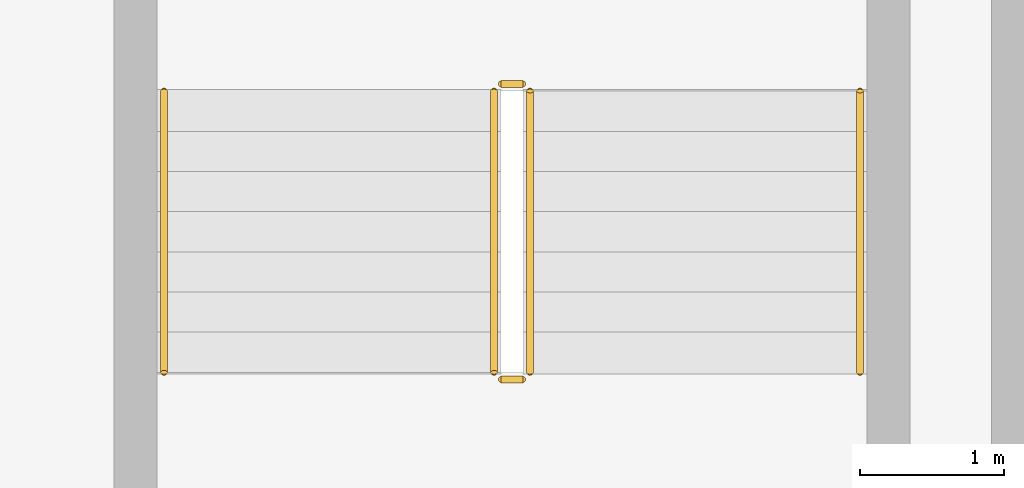
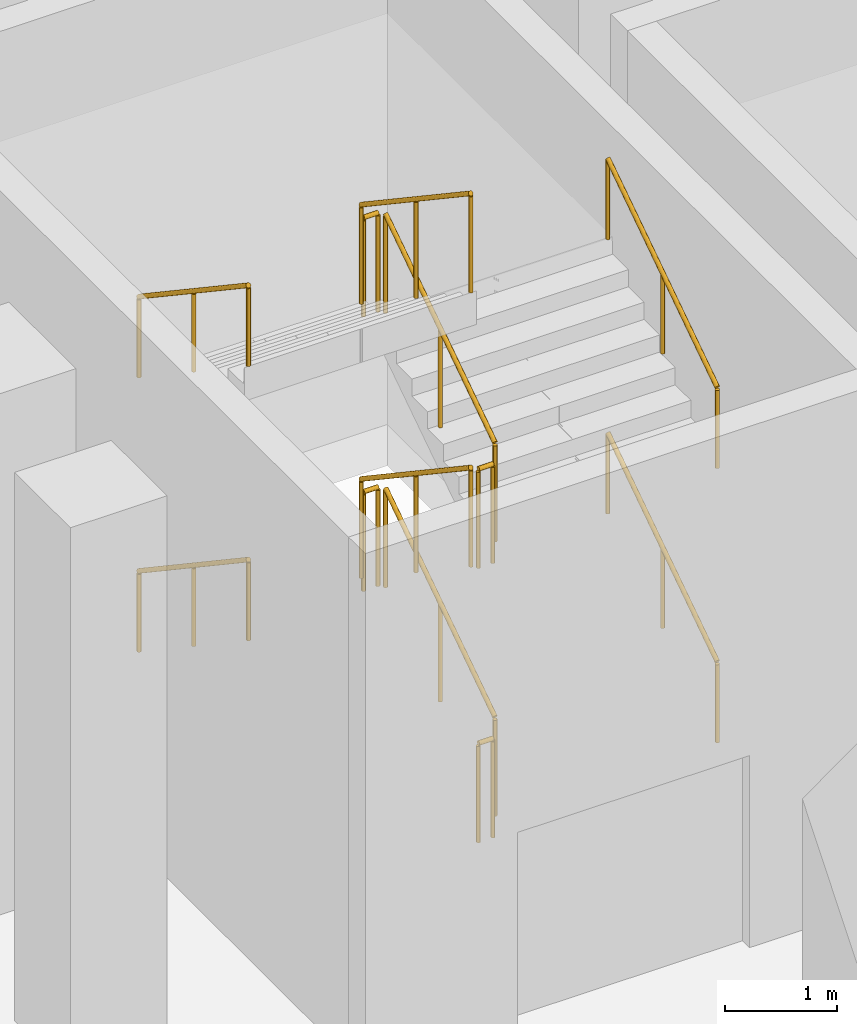
# One storey, part 30 of 30: 12 railings.
"""IFC4 building model written with IfcOpenShell, lengths in metres."""

from ifc_helpers import new_model, si_unit, direction, frame, origin, origin_2d, place, context, subcontext, project, spatial, circle, extrude, material, type_object, element, save


model = new_model("IFC4")

# Units and contexts
model_context = context("Model", 3, precision=1e-05, world=origin(), true_north=direction((0.0, 1.0)))
body_context = subcontext(model_context, "Body", "Model", "MODEL_VIEW")
ifc_project = project(units=[si_unit("LENGTHUNIT", "METRE"), si_unit("AREAUNIT", "SQUARE_METRE"), si_unit("VOLUMEUNIT", "CUBIC_METRE"), si_unit("PLANEANGLEUNIT", "RADIAN"), si_unit("MASSUNIT", "GRAM", prefix="KILO")], contexts=[model_context])

# Site, building, storey
site_placement = place(None, origin())
site = spatial("IfcSite", under=ifc_project, at=site_placement, CompositionType="ELEMENT")
building_placement = place(site_placement, origin())
building = spatial("IfcBuilding", under=site, at=building_placement, Name="Wharfspan Tower", CompositionType="ELEMENT")
storey_placement = place(building_placement, frame((0.0, 0.0, 21.5)))
storey = spatial("IfcBuildingStorey", under=building, at=storey_placement, Name="L03", CompositionType="ELEMENT", Elevation=21.5)

# Railings
ifc_material = material(Name="Steel S355J2", Category="steel")
railing_type_1 = type_object("IfcRailingType", Name="Podium guard 1100", PredefinedType="GUARDRAIL", material=ifc_material)
railing_1_placement = place(storey_placement, frame((68.699951, 32.899902, 0.1875)))
element("IfcRailing", 1, at=railing_1_placement, inside=storey, type_object=railing_type_1, Name="L03 PS4 stair guard 1", PredefinedType="GUARDRAIL", context=body_context, shape_type="SweptSolid", body=[
    extrude(circle(Radius=0.023926, at=origin_2d()), frame((0.0, 0.0, 1.076172), z_axis=(0.0, 0.830934, 0.556371), x_axis=(-1.0, 0.0, 0.0)), (0.0, 0.0, 1.0), 2.359131),
    extrude(circle(Radius=0.020996, at=origin_2d()), origin(), (0.0, 0.0, 1.0), 1.052002),
    extrude(circle(Radius=0.020996, at=origin_2d()), frame((0.0, 0.97998, 0.65625)), (0.0, 0.0, 1.0), 1.052002),
    extrude(circle(Radius=0.020996, at=origin_2d()), frame((0.0, 1.960205, 1.3125)), (0.0, 0.0, 1.0), 1.052002),
])
railing_2_placement = place(storey_placement, frame((68.649902, 34.909912, 1.5)))
element("IfcRailing", 2, at=railing_2_placement, inside=storey, type_object=railing_type_1, Name="L03 PS4 stair guard 2", PredefinedType="GUARDRAIL", context=body_context, shape_type="SweptSolid", body=[
    extrude(circle(Radius=0.023926, at=origin_2d()), frame((0.0, 0.0, 1.076172), z_axis=(-1.0, 0.0, 0.0), x_axis=(0.0, -1.0, 0.0)), (0.0, 0.0, 1.0), 0.149902),
    extrude(circle(Radius=0.020996, at=origin_2d()), origin(), (0.0, 0.0, 1.0), 1.052002),
    extrude(circle(Radius=0.020996, at=origin_2d()), frame((-0.149902, 0.0, 0.0)), (0.0, 0.0, 1.0), 1.052002),
])
railing_3_placement = place(storey_placement, frame((68.449951, 34.860107, 1.6875)))
element("IfcRailing", 3, at=railing_3_placement, inside=storey, type_object=railing_type_1, Name="L03 PS4 stair guard 3", PredefinedType="GUARDRAIL", context=body_context, shape_type="SweptSolid", body=[
    extrude(circle(Radius=0.023926, at=origin_2d()), frame((0.0, 0.0, 1.076172), z_axis=(0.0, -0.830934, 0.556371), x_axis=(1.0, 0.0, 0.0)), (0.0, 0.0, 1.0), 2.359131),
    extrude(circle(Radius=0.020996, at=origin_2d()), origin(), (0.0, 0.0, 1.0), 1.052002),
    extrude(circle(Radius=0.020996, at=origin_2d()), frame((0.0, -0.97998, 0.65625)), (0.0, 0.0, 1.0), 1.052002),
    extrude(circle(Radius=0.020996, at=origin_2d()), frame((0.0, -1.960205, 1.3125)), (0.0, 0.0, 1.0), 1.052002),
])
railing_4_placement = place(storey_placement, frame((68.649902, 32.850098, 3.0)))
element("IfcRailing", 4, at=railing_4_placement, inside=storey, type_object=railing_type_1, Name="L03 PS4 stair guard 4", PredefinedType="GUARDRAIL", context=body_context, shape_type="SweptSolid", body=[
    extrude(circle(Radius=0.023926, at=origin_2d()), frame((0.0, 0.0, 1.076172), z_axis=(-1.0, 0.0, 0.0), x_axis=(0.0, -1.0, 0.0)), (0.0, 0.0, 1.0), 0.149902),
    extrude(circle(Radius=0.020996, at=origin_2d()), origin(), (0.0, 0.0, 1.0), 1.052002),
    extrude(circle(Radius=0.020996, at=origin_2d()), frame((-0.149902, 0.0, 0.0)), (0.0, 0.0, 1.0), 1.052002),
])
railing_5_placement = place(storey_placement, frame((68.699951, 32.899902, 3.1875)))
element("IfcRailing", 5, at=railing_5_placement, inside=storey, type_object=railing_type_1, Name="L03 PS4 stair guard 5", PredefinedType="GUARDRAIL", context=body_context, shape_type="SweptSolid", body=[
    extrude(circle(Radius=0.023926, at=origin_2d()), frame((0.0, 0.0, 1.076172), z_axis=(0.0, 0.830934, 0.556371), x_axis=(-1.0, 0.0, 0.0)), (0.0, 0.0, 1.0), 2.359131),
    extrude(circle(Radius=0.020996, at=origin_2d()), origin(), (0.0, 0.0, 1.0), 1.052002),
    extrude(circle(Radius=0.020996, at=origin_2d()), frame((0.0, 0.97998, 0.65625)), (0.0, 0.0, 1.0), 1.052002),
    extrude(circle(Radius=0.020996, at=origin_2d()), frame((0.0, 1.960205, 1.3125)), (0.0, 0.0, 1.0), 1.052002),
])
railing_6_placement = place(storey_placement, frame((68.649902, 34.909912, 4.5)))
element("IfcRailing", 6, at=railing_6_placement, inside=storey, type_object=railing_type_1, Name="L03 PS4 stair guard 6", PredefinedType="GUARDRAIL", context=body_context, shape_type="SweptSolid", body=[
    extrude(circle(Radius=0.023926, at=origin_2d()), frame((0.0, 0.0, 1.076172), z_axis=(-1.0, 0.0, 0.0), x_axis=(0.0, -1.0, 0.0)), (0.0, 0.0, 1.0), 0.149902),
    extrude(circle(Radius=0.020996, at=origin_2d()), origin(), (0.0, 0.0, 1.0), 1.052002),
    extrude(circle(Radius=0.020996, at=origin_2d()), frame((-0.149902, 0.0, 0.0)), (0.0, 0.0, 1.0), 1.052002),
])
railing_7_placement = place(storey_placement, frame((68.449951, 34.860107, 4.6875)))
element("IfcRailing", 7, at=railing_7_placement, inside=storey, type_object=railing_type_1, Name="L03 PS4 stair guard 7", PredefinedType="GUARDRAIL", context=body_context, shape_type="SweptSolid", body=[
    extrude(circle(Radius=0.023926, at=origin_2d()), frame((0.0, 0.0, 1.076172), z_axis=(0.0, -0.830934, 0.556371), x_axis=(1.0, 0.0, 0.0)), (0.0, 0.0, 1.0), 2.359131),
    extrude(circle(Radius=0.020996, at=origin_2d()), origin(), (0.0, 0.0, 1.0), 1.052002),
    extrude(circle(Radius=0.020996, at=origin_2d()), frame((0.0, -0.97998, 0.65625)), (0.0, 0.0, 1.0), 1.052002),
    extrude(circle(Radius=0.020996, at=origin_2d()), frame((0.0, -1.960205, 1.3125)), (0.0, 0.0, 1.0), 1.052002),
])
railing_8_placement = place(storey_placement, frame((68.649902, 32.850098, 0.0)))
element("IfcRailing", 8, at=railing_8_placement, inside=storey, type_object=railing_type_1, Name="L03 PS4 stair guard 8", PredefinedType="GUARDRAIL", context=body_context, shape_type="SweptSolid", body=[
    extrude(circle(Radius=0.023926, at=origin_2d()), frame((0.0, 0.0, 1.076172), z_axis=(-1.0, 0.0, 0.0), x_axis=(0.0, -1.0, 0.0)), (0.0, 0.0, 1.0), 0.149902),
    extrude(circle(Radius=0.020996, at=origin_2d()), origin(), (0.0, 0.0, 1.0), 1.052002),
    extrude(circle(Radius=0.020996, at=origin_2d()), frame((-0.149902, 0.0, 0.0)), (0.0, 0.0, 1.0), 1.052002),
])
railing_type_2 = type_object("IfcRailingType", Name="Podium stair handrail 900", PredefinedType="HANDRAIL", material=ifc_material)
railing_9_placement = place(storey_placement, frame((71.0, 32.899902, 0.1875)))
element("IfcRailing", 9, at=railing_9_placement, inside=storey, type_object=railing_type_2, Name="L03 PS4 stair handrail 1", PredefinedType="HANDRAIL", context=body_context, shape_type="SweptSolid", body=[
    extrude(circle(Radius=0.023926, at=origin_2d()), frame((0.0, 0.0, 0.875977), z_axis=(0.0, 0.830934, 0.556371), x_axis=(-1.0, 0.0, 0.0)), (0.0, 0.0, 1.0), 2.359131),
    extrude(circle(Radius=0.020996, at=origin_2d()), origin(), (0.0, 0.0, 1.0), 0.851807),
    extrude(circle(Radius=0.020996, at=origin_2d()), frame((0.0, 0.97998, 0.65625)), (0.0, 0.0, 1.0), 0.851807),
    extrude(circle(Radius=0.020996, at=origin_2d()), frame((0.0, 1.960205, 1.3125)), (0.0, 0.0, 1.0), 0.851807),
])
railing_10_placement = place(storey_placement, frame((66.149902, 34.860107, 1.6875)))
element("IfcRailing", 10, at=railing_10_placement, inside=storey, type_object=railing_type_2, Name="L03 PS4 stair handrail 2", PredefinedType="HANDRAIL", context=body_context, shape_type="SweptSolid", body=[
    extrude(circle(Radius=0.023926, at=origin_2d()), frame((0.0, 0.0, 0.875977), z_axis=(0.0, -0.830934, 0.556371), x_axis=(1.0, 0.0, 0.0)), (0.0, 0.0, 1.0), 2.359131),
    extrude(circle(Radius=0.020996, at=origin_2d()), origin(), (0.0, 0.0, 1.0), 0.851807),
    extrude(circle(Radius=0.020996, at=origin_2d()), frame((0.0, -0.97998, 0.65625)), (0.0, 0.0, 1.0), 0.851807),
    extrude(circle(Radius=0.020996, at=origin_2d()), frame((0.0, -1.960205, 1.3125)), (0.0, 0.0, 1.0), 0.851807),
])
railing_11_placement = place(storey_placement, frame((71.0, 32.899902, 3.1875)))
element("IfcRailing", 11, at=railing_11_placement, inside=storey, type_object=railing_type_2, Name="L03 PS4 stair handrail 3", PredefinedType="HANDRAIL", context=body_context, shape_type="SweptSolid", body=[
    extrude(circle(Radius=0.023926, at=origin_2d()), frame((0.0, 0.0, 0.875977), z_axis=(0.0, 0.830934, 0.556371), x_axis=(-1.0, 0.0, 0.0)), (0.0, 0.0, 1.0), 2.359131),
    extrude(circle(Radius=0.020996, at=origin_2d()), origin(), (0.0, 0.0, 1.0), 0.851807),
    extrude(circle(Radius=0.020996, at=origin_2d()), frame((0.0, 0.97998, 0.65625)), (0.0, 0.0, 1.0), 0.851807),
    extrude(circle(Radius=0.020996, at=origin_2d()), frame((0.0, 1.960205, 1.3125)), (0.0, 0.0, 1.0), 0.851807),
])
railing_12_placement = place(storey_placement, frame((66.149902, 34.860107, 4.6875)))
element("IfcRailing", 12, at=railing_12_placement, inside=storey, type_object=railing_type_2, Name="L03 PS4 stair handrail 4", PredefinedType="HANDRAIL", context=body_context, shape_type="SweptSolid", body=[
    extrude(circle(Radius=0.023926, at=origin_2d()), frame((0.0, 0.0, 0.875977), z_axis=(0.0, -0.830934, 0.556371), x_axis=(1.0, 0.0, 0.0)), (0.0, 0.0, 1.0), 2.359131),
    extrude(circle(Radius=0.020996, at=origin_2d()), origin(), (0.0, 0.0, 1.0), 0.851807),
    extrude(circle(Radius=0.020996, at=origin_2d()), frame((0.0, -0.97998, 0.65625)), (0.0, 0.0, 1.0), 0.851807),
    extrude(circle(Radius=0.020996, at=origin_2d()), frame((0.0, -1.960205, 1.3125)), (0.0, 0.0, 1.0), 0.851807),
])

save(model, "model.ifc")
